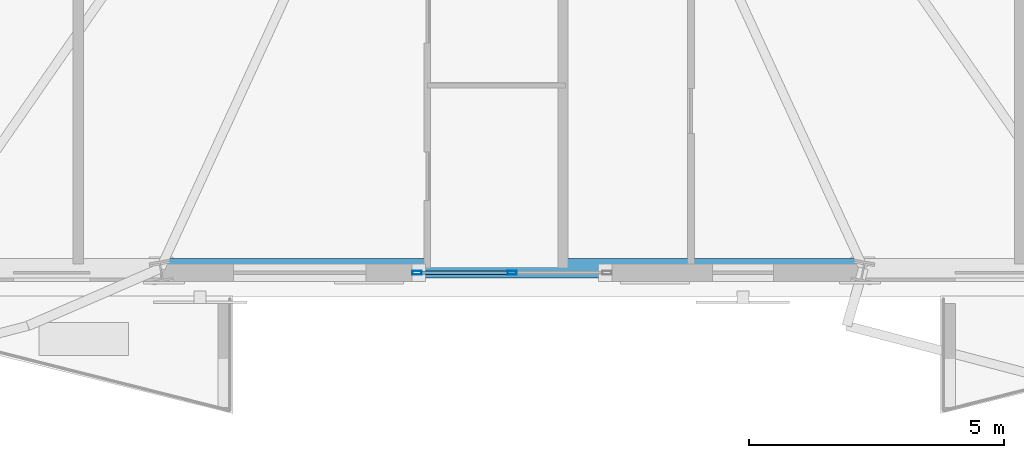
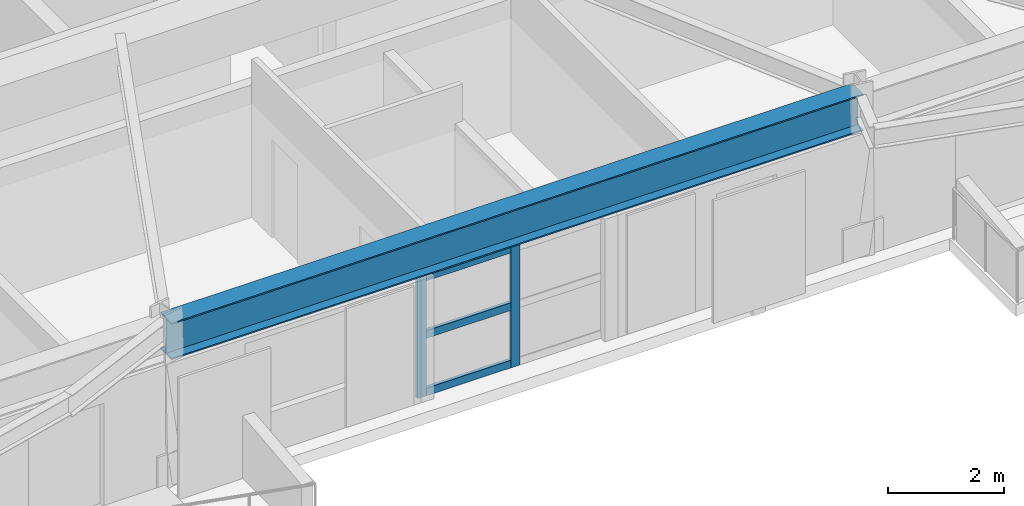
# One storey, part 2 of 15: 5 members, 1 beam, 1 element without a shape of its own.
"""IFC4 building model written with IfcOpenShell, lengths in metres."""

import ifcopenshell
import ifcopenshell.guid

model = None  # the IFC model being written
_history = None  # IfcOwnerHistory: only IFC2X3 demands one
_inside = {}  # id of a spatial element -> (the spatial element, [elements in it])
_under = {}  # id of a project, library or spatial element -> (it, [spatial elements below it])
_declared = {}  # id of a project -> (the project, [libraries it declares])
_typed = {}  # id of a type object -> (the type object, [elements of that type])
_made_of = {}  # id of a material, layer set ... -> (it, [elements and type objects made of it])


def new_model(schema):
    """Start an empty IFC model of exactly this schema.

    Asked for "IFC4X3", IfcOpenShell would pick the latest addendum, in which some entities
    have other attributes; the version numbers below select the first issue.
    IFC2X3 requires an IfcOwnerHistory on every rooted entity: one is made here for all.
    """
    global model, _history
    if schema == "IFC4X3":
        model = ifcopenshell.file(schema_version=(4, 3, 0, 0))
    else:
        model = ifcopenshell.file(schema=schema)
    _inside.clear()
    _under.clear()
    _declared.clear()
    _typed.clear()
    _made_of.clear()
    _history = None
    if model.schema == "IFC2X3":
        org = make("IfcOrganization", Name="unknown")
        user = make(
            "IfcPersonAndOrganization",
            ThePerson=make("IfcPerson", FamilyName="unknown"),
            TheOrganization=org,
        )
        app = make(
            "IfcApplication",
            ApplicationDeveloper=org,
            Version="unknown",
            ApplicationFullName="unknown",
            ApplicationIdentifier="unknown",
        )
        _history = make(
            "IfcOwnerHistory",
            OwningUser=user,
            OwningApplication=app,
            ChangeAction="ADDED",
            CreationDate=0,
        )
    return model


def make(cls, **values):
    """One entity of the class cls with the attributes given. An attribute that is None is left unset."""
    return model.create_entity(
        cls, **{name: value for name, value in values.items() if value is not None}
    )


def rooted(cls, **values):
    """An entity with a GlobalId (a new one), such as an element, a storey or a relation."""
    return make(cls, GlobalId=ifcopenshell.guid.new(), OwnerHistory=_history, **values)


def si_unit(unit_type, name, prefix=None):
    """IfcSIUnit, for example si_unit("LENGTHUNIT", "METRE", prefix="MILLI")."""
    return make("IfcSIUnit", UnitType=unit_type, Prefix=prefix, Name=name)


def assignment(units):
    """IfcUnitAssignment: the units of a project."""
    return None if units is None else make("IfcUnitAssignment", Units=units)


def point(xyz):
    """IfcCartesianPoint."""
    return None if xyz is None else make("IfcCartesianPoint", Coordinates=xyz)


def direction(xyz):
    """IfcDirection."""
    return None if xyz is None else make("IfcDirection", DirectionRatios=xyz)


def frame(location, z_axis=None, x_axis=None):
    """IfcAxis2Placement3D, a coordinate frame: its origin and axes. An axis left out is left unset."""
    return make(
        "IfcAxis2Placement3D",
        Location=point(location),
        Axis=direction(z_axis),
        RefDirection=direction(x_axis),
    )


def frame_2d(location, x_axis=None):
    """IfcAxis2Placement2D, a coordinate frame in the plane: its origin and x axis."""
    return make(
        "IfcAxis2Placement2D", Location=point(location), RefDirection=direction(x_axis)
    )


def origin():
    """The frame at (0, 0, 0) with its axes left unset."""
    return frame((0.0, 0.0, 0.0))


def origin_2d():
    """The frame at (0, 0) in the plane with its x axis left unset."""
    return frame_2d((0.0, 0.0))


def place(relative_to, where):
    """IfcLocalPlacement: puts the frame where relative to a parent placement (None: the world)."""
    return make(
        "IfcLocalPlacement", PlacementRelTo=relative_to, RelativePlacement=where
    )


def context(
    kind, dimensions, precision=None, world=None, true_north=None, identifier=None
):
    """IfcGeometricRepresentationContext, for example the 3D "Model" context."""
    return make(
        "IfcGeometricRepresentationContext",
        ContextIdentifier=identifier,
        ContextType=kind,
        CoordinateSpaceDimension=dimensions,
        Precision=precision,
        WorldCoordinateSystem=world,
        TrueNorth=true_north,
    )


def subcontext(parent, identifier, kind, view, scale=None):
    """IfcGeometricRepresentationSubContext, for example "Body" below "Model"."""
    return make(
        "IfcGeometricRepresentationSubContext",
        ContextIdentifier=identifier,
        ContextType=kind,
        ParentContext=parent,
        TargetScale=scale,
        TargetView=view,
    )


def project(units=None, contexts=None):
    """IfcProject with its units and contexts."""
    return rooted(
        "IfcProject",
        Name="project",
        RepresentationContexts=contexts,
        UnitsInContext=assignment(units),
    )


def spatial(cls, under=None, at=None, **own):
    """A site, building, storey or space (cls), placed at a placement, below another one or the project."""
    s = rooted(cls, ObjectPlacement=at, **own)
    if under is not None:
        _under.setdefault(under.id(), (under, []))[1].append(s)
    return s


def profile(cls, at=None, kind="AREA", **sizes):
    """A parametric profile (cls). Its sizes go by their IFC names, for example OverallWidth=200.0."""
    return make(cls, ProfileType=kind, Position=at, **sizes)


def hollow_rectangle(**sizes):
    """IfcRectangleHollowProfileDef."""
    return profile("IfcRectangleHollowProfileDef", **sizes)


def i_section(**sizes):
    """IfcIShapeProfileDef."""
    return profile("IfcIShapeProfileDef", **sizes)


def extrude(swept, where, along, depth):
    """IfcExtrudedAreaSolid: the profile swept, set in the frame where, extruded along a direction by depth."""
    return make(
        "IfcExtrudedAreaSolid",
        SweptArea=swept,
        Position=where,
        ExtrudedDirection=direction(along),
        Depth=depth,
    )


def shape(context_of_items, identifier, shape_type, items):
    """IfcShapeRepresentation: the items that make up one representation, for example the "Body"."""
    return make(
        "IfcShapeRepresentation",
        ContextOfItems=context_of_items,
        RepresentationIdentifier=identifier,
        RepresentationType=shape_type,
        Items=items,
    )


def material(Name=None, Category=None):
    """IfcMaterial."""
    return make("IfcMaterial", Name=Name, Category=Category)


def layer(
    of_material, thickness, ventilated=None, Name=None, Category=None, Priority=None
):
    """IfcMaterialLayer: one layer of a wall or slab, of a material (None: an air gap)."""
    return make(
        "IfcMaterialLayer",
        Material=of_material,
        LayerThickness=thickness,
        IsVentilated=ventilated,
        Name=Name,
        Category=Category,
        Priority=Priority,
    )


def layer_set(layers, Name=None):
    """IfcMaterialLayerSet."""
    return make("IfcMaterialLayerSet", MaterialLayers=layers, LayerSetName=Name)


def material_profile(
    of_material, cross_section, Name=None, Category=None, Priority=None
):
    """IfcMaterialProfile: a cross section and its material."""
    return make(
        "IfcMaterialProfile",
        Name=Name,
        Material=of_material,
        Profile=cross_section,
        Priority=Priority,
        Category=Category,
    )


def profile_set(profiles, Name=None, composite=None):
    """IfcMaterialProfileSet."""
    return make(
        "IfcMaterialProfileSet",
        Name=Name,
        MaterialProfiles=profiles,
        CompositeProfile=composite,
    )


def made_of(thing, what):
    """Note that an element or type object is made of a material, layer set ...; save() writes the relation."""
    if what is not None:
        _made_of.setdefault(what.id(), (what, []))[1].append(thing)
    return thing


def type_object(cls, material=None, **own):
    """A type object (cls), such as IfcWallType, which elements share."""
    return made_of(rooted(cls, **own), material)


def element(
    cls,
    number,
    at=None,
    inside=None,
    cuts=None,
    type_object=None,
    material=None,
    context=None,
    identifier="Body",
    shape_type=None,
    held_by="IfcProductDefinitionShape",
    body=None,
    shapes=None,
    **own,
):
    """One element of the class cls, such as IfcWall. Its Tag is "e" and its number.

    at: its placement. inside: the storey or other place that contains it. cuts: it is an
    opening in that element (IfcRelVoidsElement). A single representation is given by context,
    identifier, shape_type and body (its items); several are given by shapes. held_by: the class
    of the entity that holds the representations. save() writes the other relations.
    """
    e = rooted(cls, Tag="e%d" % number, ObjectPlacement=at, **own)
    if body is not None:
        shapes = [shape(context, identifier, shape_type, body)]
    if shapes is not None:
        e.Representation = make(held_by, Representations=shapes)
    if inside is not None:
        _inside.setdefault(inside.id(), (inside, []))[1].append(e)
    if cuts is not None:
        rooted(
            "IfcRelVoidsElement", RelatingBuildingElement=cuts, RelatedOpeningElement=e
        )
    if type_object is not None:
        _typed.setdefault(type_object.id(), (type_object, []))[1].append(e)
    return made_of(e, material)


def aggregate(whole, parts):
    """IfcRelAggregates: a whole, such as a stair, and the parts it consists of."""
    return rooted("IfcRelAggregates", RelatingObject=whole, RelatedObjects=parts)


def save(model, path):
    """Write the relations noted so far, then the file.

    IfcRelAggregates (storeys below a building ...), IfcRelContainedInSpatialStructure (elements
    in a storey), IfcRelDefinesByType, IfcRelAssociatesMaterial and IfcRelDeclares: one each for
    every whole, place, type object, material and project.
    """
    for whole, parts in _under.values():
        aggregate(whole, parts)
    for where, things in _inside.values():
        rooted(
            "IfcRelContainedInSpatialStructure",
            RelatedElements=things,
            RelatingStructure=where,
        )
    for kind, things in _typed.values():
        rooted("IfcRelDefinesByType", RelatedObjects=things, RelatingType=kind)
    for what, things in _made_of.values():
        rooted("IfcRelAssociatesMaterial", RelatedObjects=things, RelatingMaterial=what)
    for by, libraries in _declared.values():
        rooted("IfcRelDeclares", RelatingContext=by, RelatedDefinitions=libraries)
    model.write(path)


model = new_model("IFC4")

# Units and contexts
model_context = context("Model", 3, precision=1e-05, world=origin(), true_north=direction((0.0, 1.0)))
body_context = subcontext(model_context, "Body", "Model", "MODEL_VIEW")
ifc_project = project(units=[si_unit("LENGTHUNIT", "METRE"), si_unit("AREAUNIT", "SQUARE_METRE"), si_unit("VOLUMEUNIT", "CUBIC_METRE"), si_unit("PLANEANGLEUNIT", "RADIAN"), si_unit("MASSUNIT", "GRAM", prefix="KILO")], contexts=[model_context])

# Site, building, storey
site_placement = place(None, origin())
site = spatial("IfcSite", under=ifc_project, at=site_placement, CompositionType="ELEMENT")
building_placement = place(site_placement, origin())
building = spatial("IfcBuilding", under=site, at=building_placement, Name="Oramaril Tower", CompositionType="ELEMENT")
storey_placement = place(building_placement, frame((0.0, 0.0, 93.300048828125)))
storey = spatial("IfcBuildingStorey", under=building, at=storey_placement, Name="L24", CompositionType="ELEMENT", Elevation=93.300048828125)

# Beam
ifc_material_1 = material(Name="Steel ASTM A572 Gr 50", Category="steel")
ifc_material_profile_1 = material_profile(ifc_material_1, i_section(OverallWidth=0.381103515625, OverallDepth=0.77197265625, WebThickness=0.0166015625, FlangeThickness=0.027099609375, at=origin_2d()), Name="W30X173")
ifc_profile_set_1 = profile_set([ifc_material_profile_1], Name="Steel ASTM A572 Gr 50")
beam_type = type_object("IfcBeamType", Name="BT-SP2", PredefinedType="SPANDREL", material=ifc_profile_set_1)
beam_placement = place(storey_placement, frame((30.612548828125, 3.198486328125, 2.973876953125), z_axis=(1.0, 0.0, 0.0), x_axis=(0.0, 1.0, 0.0)))
element("IfcBeam", 1, at=beam_placement, inside=storey, type_object=beam_type, Name="L24 Perimeter Spandrel 04", PredefinedType="SPANDREL", context=body_context, shape_type="SweptSolid", body=[
    extrude(i_section(OverallWidth=0.381103515625, OverallDepth=0.77197265625, WebThickness=0.0166015625, FlangeThickness=0.027099609375, at=origin_2d()), origin(), (0.0, 0.0, 1.0), 13.77490234375),
])

# Curtain wall, members
ifc_material_2 = material(Name="Anodised Aluminium 6063-T6", Category="aluminium")
ifc_layer = layer(ifc_material_2, 0.179931640625)
ifc_layer_set = layer_set([ifc_layer], Name="CWT-SYS3")
curtain_wall_type = type_object("IfcCurtainWallType", Name="CWT-SYS3", PredefinedType="NOTDEFINED", material=ifc_layer_set)
curtain_wall_placement = place(storey_placement, origin())
curtain_wall = element("IfcCurtainWall", 2, at=curtain_wall_placement, inside=storey, type_object=curtain_wall_type, Name="L24 Unitised Curtain Wall CW-3", PredefinedType="NOTDEFINED")
ifc_material_3 = material(Name="Anodised Aluminium 6063-T6", Category="aluminium")
ifc_material_profile_2 = material_profile(ifc_material_3, hollow_rectangle(XDim=0.070068359375, YDim=0.179931640625, WallThickness=0.00390625, at=origin_2d()), Name="CWM180X70")
ifc_profile_set_2 = profile_set([ifc_material_profile_2], Name="Anodised Aluminium 6063-T6")
member_type_1 = type_object("IfcMemberType", Name="MT-CWM2", PredefinedType="MULLION", material=ifc_profile_set_2)
member_1_placement = place(storey_placement, frame((35.639892578125, 3.110107421875, 0.0), z_axis=(0.0, 0.0, 1.0), x_axis=(0.0, 1.0, 0.0)))
member_1 = element("IfcMember", 3, at=member_1_placement, type_object=member_type_1, Name="CW-3 mullion 1", PredefinedType="MULLION", context=body_context, shape_type="SweptSolid", body=[
    extrude(hollow_rectangle(XDim=0.070068359375, YDim=0.179931640625, WallThickness=0.00390625, at=origin_2d()), origin(), (0.0, 0.0, 1.0), 2.577880859375),
])
member_2_placement = place(storey_placement, frame((37.5, 3.110107421875, 0.0), z_axis=(0.0, 0.0, 1.0), x_axis=(0.0, 1.0, 0.0)))
member_2 = element("IfcMember", 4, at=member_2_placement, type_object=member_type_1, Name="CW-3 mullion 2", PredefinedType="MULLION", context=body_context, shape_type="SweptSolid", body=[
    extrude(hollow_rectangle(XDim=0.070068359375, YDim=0.179931640625, WallThickness=0.00390625, at=origin_2d()), origin(), (0.0, 0.0, 1.0), 2.577880859375),
])
ifc_material_4 = material(Name="Anodised Aluminium 6063-T6", Category="aluminium")
ifc_material_profile_3 = material_profile(ifc_material_4, hollow_rectangle(XDim=0.070068359375, YDim=0.159912109375, WallThickness=0.00390625, at=origin_2d()), Name="CWT160X70")
ifc_profile_set_3 = profile_set([ifc_material_profile_3], Name="Anodised Aluminium 6063-T6")
member_type_2 = type_object("IfcMemberType", Name="MT-CWT1", PredefinedType="USERDEFINED", material=ifc_profile_set_3)
member_3_placement = place(storey_placement, frame((35.72998046875, 3.110107421875, 0.079833984375), z_axis=(1.0, 0.0, 0.0), x_axis=(0.0, 1.0, 0.0)))
member_3 = element("IfcMember", 5, at=member_3_placement, type_object=member_type_2, Name="CW-3 transom 1.1", ObjectType="TRANSOM", PredefinedType="USERDEFINED", context=body_context, shape_type="SweptSolid", body=[
    extrude(hollow_rectangle(XDim=0.070068359375, YDim=0.159912109375, WallThickness=0.00390625, at=origin_2d()), origin(), (0.0, 0.0, 1.0), 1.679931640625),
])
member_4_placement = place(storey_placement, frame((35.72998046875, 3.110107421875, 1.2890625), z_axis=(1.0, 0.0, 0.0), x_axis=(0.0, 1.0, 0.0)))
member_4 = element("IfcMember", 6, at=member_4_placement, type_object=member_type_2, Name="CW-3 transom 1.2", ObjectType="TRANSOM", PredefinedType="USERDEFINED", context=body_context, shape_type="SweptSolid", body=[
    extrude(hollow_rectangle(XDim=0.070068359375, YDim=0.159912109375, WallThickness=0.00390625, at=origin_2d()), origin(), (0.0, 0.0, 1.0), 1.679931640625),
])
member_5_placement = place(storey_placement, frame((35.72998046875, 3.110107421875, 2.498046875), z_axis=(1.0, 0.0, 0.0), x_axis=(0.0, 1.0, 0.0)))
member_5 = element("IfcMember", 7, at=member_5_placement, type_object=member_type_2, Name="CW-3 transom 1.3", ObjectType="TRANSOM", PredefinedType="USERDEFINED", context=body_context, shape_type="SweptSolid", body=[
    extrude(hollow_rectangle(XDim=0.070068359375, YDim=0.159912109375, WallThickness=0.00390625, at=origin_2d()), origin(), (0.0, 0.0, 1.0), 1.679931640625),
])
aggregate(curtain_wall, [member_1, member_2, member_3, member_4, member_5])

save(model, "model.ifc")
